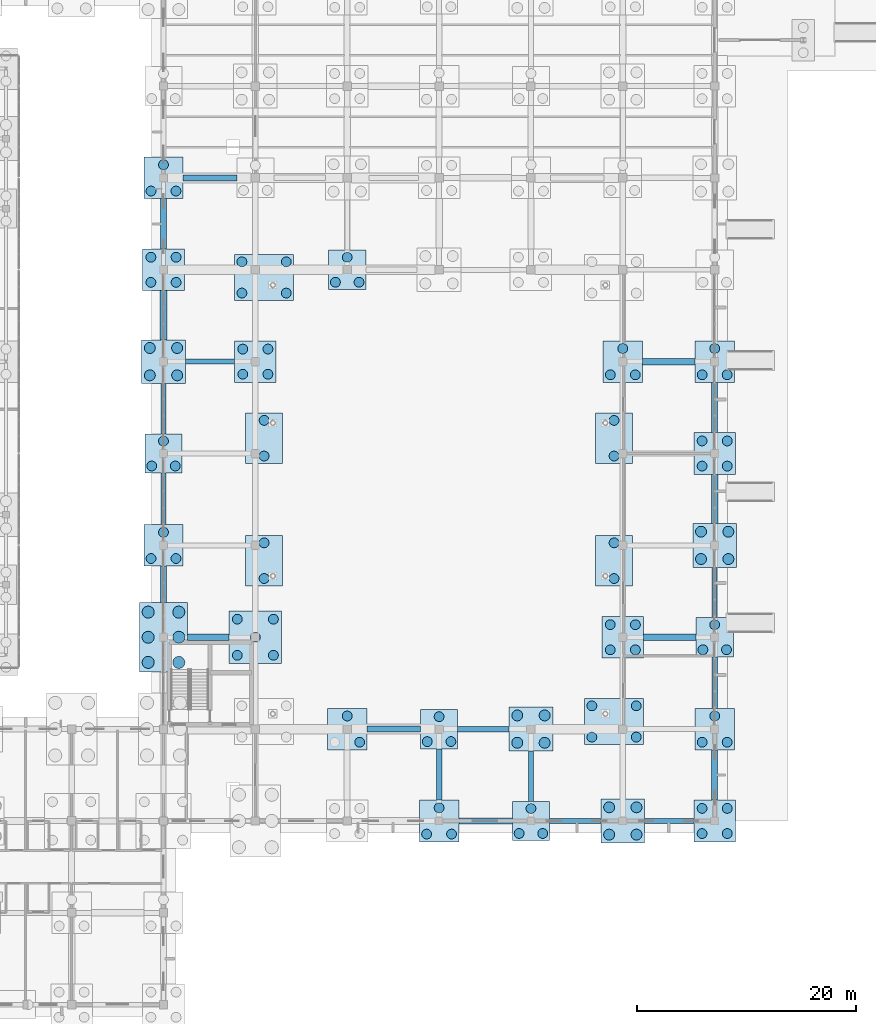
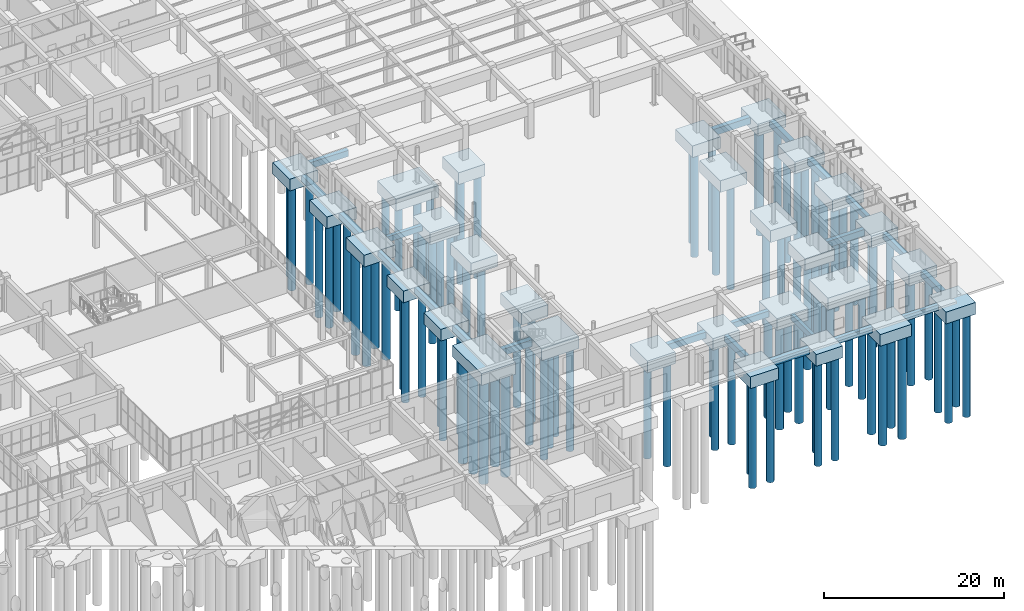
# One storey, part 13 of 192: 98 piles, 51 footings.
"""IFC4 building model written with IfcOpenShell, lengths in metres."""

import ifcopenshell
import ifcopenshell.guid

model = None  # the IFC model being written
_history = None  # IfcOwnerHistory: only IFC2X3 demands one
_inside = {}  # id of a spatial element -> (the spatial element, [elements in it])
_under = {}  # id of a project, library or spatial element -> (it, [spatial elements below it])
_declared = {}  # id of a project -> (the project, [libraries it declares])
_typed = {}  # id of a type object -> (the type object, [elements of that type])
_made_of = {}  # id of a material, layer set ... -> (it, [elements and type objects made of it])


def new_model(schema):
    """Start an empty IFC model of exactly this schema.

    Asked for "IFC4X3", IfcOpenShell would pick the latest addendum, in which some entities
    have other attributes; the version numbers below select the first issue.
    IFC2X3 requires an IfcOwnerHistory on every rooted entity: one is made here for all.
    """
    global model, _history
    if schema == "IFC4X3":
        model = ifcopenshell.file(schema_version=(4, 3, 0, 0))
    else:
        model = ifcopenshell.file(schema=schema)
    _inside.clear()
    _under.clear()
    _declared.clear()
    _typed.clear()
    _made_of.clear()
    _history = None
    if model.schema == "IFC2X3":
        org = make("IfcOrganization", Name="unknown")
        user = make(
            "IfcPersonAndOrganization",
            ThePerson=make("IfcPerson", FamilyName="unknown"),
            TheOrganization=org,
        )
        app = make(
            "IfcApplication",
            ApplicationDeveloper=org,
            Version="unknown",
            ApplicationFullName="unknown",
            ApplicationIdentifier="unknown",
        )
        _history = make(
            "IfcOwnerHistory",
            OwningUser=user,
            OwningApplication=app,
            ChangeAction="ADDED",
            CreationDate=0,
        )
    return model


def make(cls, **values):
    """One entity of the class cls with the attributes given. An attribute that is None is left unset."""
    return model.create_entity(
        cls, **{name: value for name, value in values.items() if value is not None}
    )


def rooted(cls, **values):
    """An entity with a GlobalId (a new one), such as an element, a storey or a relation."""
    return make(cls, GlobalId=ifcopenshell.guid.new(), OwnerHistory=_history, **values)


def si_unit(unit_type, name, prefix=None):
    """IfcSIUnit, for example si_unit("LENGTHUNIT", "METRE", prefix="MILLI")."""
    return make("IfcSIUnit", UnitType=unit_type, Prefix=prefix, Name=name)


def assignment(units):
    """IfcUnitAssignment: the units of a project."""
    return None if units is None else make("IfcUnitAssignment", Units=units)


def point(xyz):
    """IfcCartesianPoint."""
    return None if xyz is None else make("IfcCartesianPoint", Coordinates=xyz)


def direction(xyz):
    """IfcDirection."""
    return None if xyz is None else make("IfcDirection", DirectionRatios=xyz)


def frame(location, z_axis=None, x_axis=None):
    """IfcAxis2Placement3D, a coordinate frame: its origin and axes. An axis left out is left unset."""
    return make(
        "IfcAxis2Placement3D",
        Location=point(location),
        Axis=direction(z_axis),
        RefDirection=direction(x_axis),
    )


def frame_2d(location, x_axis=None):
    """IfcAxis2Placement2D, a coordinate frame in the plane: its origin and x axis."""
    return make(
        "IfcAxis2Placement2D", Location=point(location), RefDirection=direction(x_axis)
    )


def origin():
    """The frame at (0, 0, 0) with its axes left unset."""
    return frame((0.0, 0.0, 0.0))


def origin_2d():
    """The frame at (0, 0) in the plane with its x axis left unset."""
    return frame_2d((0.0, 0.0))


def place(relative_to, where):
    """IfcLocalPlacement: puts the frame where relative to a parent placement (None: the world)."""
    return make(
        "IfcLocalPlacement", PlacementRelTo=relative_to, RelativePlacement=where
    )


def context(
    kind, dimensions, precision=None, world=None, true_north=None, identifier=None
):
    """IfcGeometricRepresentationContext, for example the 3D "Model" context."""
    return make(
        "IfcGeometricRepresentationContext",
        ContextIdentifier=identifier,
        ContextType=kind,
        CoordinateSpaceDimension=dimensions,
        Precision=precision,
        WorldCoordinateSystem=world,
        TrueNorth=true_north,
    )


def subcontext(parent, identifier, kind, view, scale=None):
    """IfcGeometricRepresentationSubContext, for example "Body" below "Model"."""
    return make(
        "IfcGeometricRepresentationSubContext",
        ContextIdentifier=identifier,
        ContextType=kind,
        ParentContext=parent,
        TargetScale=scale,
        TargetView=view,
    )


def project(units=None, contexts=None):
    """IfcProject with its units and contexts."""
    return rooted(
        "IfcProject",
        Name="project",
        RepresentationContexts=contexts,
        UnitsInContext=assignment(units),
    )


def spatial(cls, under=None, at=None, **own):
    """A site, building, storey or space (cls), placed at a placement, below another one or the project."""
    s = rooted(cls, ObjectPlacement=at, **own)
    if under is not None:
        _under.setdefault(under.id(), (under, []))[1].append(s)
    return s


def profile(cls, at=None, kind="AREA", **sizes):
    """A parametric profile (cls). Its sizes go by their IFC names, for example OverallWidth=200.0."""
    return make(cls, ProfileType=kind, Position=at, **sizes)


def rectangle(**sizes):
    """IfcRectangleProfileDef."""
    return profile("IfcRectangleProfileDef", **sizes)


def circle(**sizes):
    """IfcCircleProfileDef."""
    return profile("IfcCircleProfileDef", **sizes)


def extrude(swept, where, along, depth):
    """IfcExtrudedAreaSolid: the profile swept, set in the frame where, extruded along a direction by depth."""
    return make(
        "IfcExtrudedAreaSolid",
        SweptArea=swept,
        Position=where,
        ExtrudedDirection=direction(along),
        Depth=depth,
    )


def shape(context_of_items, identifier, shape_type, items):
    """IfcShapeRepresentation: the items that make up one representation, for example the "Body"."""
    return make(
        "IfcShapeRepresentation",
        ContextOfItems=context_of_items,
        RepresentationIdentifier=identifier,
        RepresentationType=shape_type,
        Items=items,
    )


def material(Name=None, Category=None):
    """IfcMaterial."""
    return make("IfcMaterial", Name=Name, Category=Category)


def layer(
    of_material, thickness, ventilated=None, Name=None, Category=None, Priority=None
):
    """IfcMaterialLayer: one layer of a wall or slab, of a material (None: an air gap)."""
    return make(
        "IfcMaterialLayer",
        Material=of_material,
        LayerThickness=thickness,
        IsVentilated=ventilated,
        Name=Name,
        Category=Category,
        Priority=Priority,
    )


def layer_set(layers, Name=None):
    """IfcMaterialLayerSet."""
    return make("IfcMaterialLayerSet", MaterialLayers=layers, LayerSetName=Name)


def material_profile(
    of_material, cross_section, Name=None, Category=None, Priority=None
):
    """IfcMaterialProfile: a cross section and its material."""
    return make(
        "IfcMaterialProfile",
        Name=Name,
        Material=of_material,
        Profile=cross_section,
        Priority=Priority,
        Category=Category,
    )


def profile_set(profiles, Name=None, composite=None):
    """IfcMaterialProfileSet."""
    return make(
        "IfcMaterialProfileSet",
        Name=Name,
        MaterialProfiles=profiles,
        CompositeProfile=composite,
    )


def made_of(thing, what):
    """Note that an element or type object is made of a material, layer set ...; save() writes the relation."""
    if what is not None:
        _made_of.setdefault(what.id(), (what, []))[1].append(thing)
    return thing


def type_object(cls, material=None, **own):
    """A type object (cls), such as IfcWallType, which elements share."""
    return made_of(rooted(cls, **own), material)


def element(
    cls,
    number,
    at=None,
    inside=None,
    cuts=None,
    type_object=None,
    material=None,
    context=None,
    identifier="Body",
    shape_type=None,
    held_by="IfcProductDefinitionShape",
    body=None,
    shapes=None,
    **own,
):
    """One element of the class cls, such as IfcWall. Its Tag is "e" and its number.

    at: its placement. inside: the storey or other place that contains it. cuts: it is an
    opening in that element (IfcRelVoidsElement). A single representation is given by context,
    identifier, shape_type and body (its items); several are given by shapes. held_by: the class
    of the entity that holds the representations. save() writes the other relations.
    """
    e = rooted(cls, Tag="e%d" % number, ObjectPlacement=at, **own)
    if body is not None:
        shapes = [shape(context, identifier, shape_type, body)]
    if shapes is not None:
        e.Representation = make(held_by, Representations=shapes)
    if inside is not None:
        _inside.setdefault(inside.id(), (inside, []))[1].append(e)
    if cuts is not None:
        rooted(
            "IfcRelVoidsElement", RelatingBuildingElement=cuts, RelatedOpeningElement=e
        )
    if type_object is not None:
        _typed.setdefault(type_object.id(), (type_object, []))[1].append(e)
    return made_of(e, material)


def aggregate(whole, parts):
    """IfcRelAggregates: a whole, such as a stair, and the parts it consists of."""
    return rooted("IfcRelAggregates", RelatingObject=whole, RelatedObjects=parts)


def save(model, path):
    """Write the relations noted so far, then the file.

    IfcRelAggregates (storeys below a building ...), IfcRelContainedInSpatialStructure (elements
    in a storey), IfcRelDefinesByType, IfcRelAssociatesMaterial and IfcRelDeclares: one each for
    every whole, place, type object, material and project.
    """
    for whole, parts in _under.values():
        aggregate(whole, parts)
    for where, things in _inside.values():
        rooted(
            "IfcRelContainedInSpatialStructure",
            RelatedElements=things,
            RelatingStructure=where,
        )
    for kind, things in _typed.values():
        rooted("IfcRelDefinesByType", RelatedObjects=things, RelatingType=kind)
    for what, things in _made_of.values():
        rooted("IfcRelAssociatesMaterial", RelatedObjects=things, RelatingMaterial=what)
    for by, libraries in _declared.values():
        rooted("IfcRelDeclares", RelatingContext=by, RelatedDefinitions=libraries)
    model.write(path)


model = new_model("IFC4")

# Units and contexts
model_context = context("Model", 3, precision=1e-05, world=origin(), true_north=direction((0.0, 1.0)))
body_context = subcontext(model_context, "Body", "Model", "MODEL_VIEW")
ifc_project = project(units=[si_unit("LENGTHUNIT", "METRE"), si_unit("AREAUNIT", "SQUARE_METRE"), si_unit("VOLUMEUNIT", "CUBIC_METRE"), si_unit("PLANEANGLEUNIT", "RADIAN"), si_unit("MASSUNIT", "GRAM", prefix="KILO")], contexts=[model_context])

# Site, building, storey
site_placement = place(None, origin())
site = spatial("IfcSite", under=ifc_project, at=site_placement, CompositionType="ELEMENT")
building_placement = place(site_placement, origin())
building = spatial("IfcBuilding", under=site, at=building_placement, Name="Trelvath General Hospital", CompositionType="ELEMENT")
storey_placement = place(building_placement, origin())
storey = spatial("IfcBuildingStorey", under=building, at=storey_placement, Name="L00", CompositionType="ELEMENT", Elevation=0.0)

# Piles
ifc_material_1 = material(Name="Concrete C35/45", Category="concrete")
ifc_material_profile_1 = material_profile(ifc_material_1, circle(Radius=0.5, at=origin_2d()), Name="PILE1000")
ifc_profile_set_1 = profile_set([ifc_material_profile_1], Name="Concrete C35/45")
pile_type_1 = type_object("IfcPileType", Name="BoredPile D1000", PredefinedType="BORED", material=ifc_profile_set_1)
for number, where, z_axis, x_axis, name in (
    (1, (133.14990234375, 57.550048828125, -1.800048828125), (0.0, 0.0, -1.0), (1.0, 0.0, 0.0), "Bored Pile P-0914"),
    (2, (135.64990234375, 57.550048828125, -1.800048828125), (0.0, 0.0, -1.0), (1.0, 0.0, 0.0), "Bored Pile P-0915"),
    (3, (133.14990234375, 60.050048828125, -1.800048828125), (0.0, 0.0, -1.0), (1.0, 0.0, 0.0), "Bored Pile P-0916"),
    (4, (135.64990234375, 60.050048828125, -1.800048828125), (0.0, 0.0, -1.0), (1.0, 0.0, 0.0), "Bored Pile P-0917"),
    (5, (166.75, 23.949951171875, -1.800048828125), (0.0, 0.0, -1.0), (1.0, 0.0, 0.0), "Bored Pile P-1058"),
    (6, (169.25, 23.949951171875, -1.800048828125), (0.0, 0.0, -1.0), (1.0, 0.0, 0.0), "Bored Pile P-1059"),
    (7, (166.75, 26.449951171875, -1.800048828125), (0.0, 0.0, -1.0), (1.0, 0.0, 0.0), "Bored Pile P-1060"),
    (8, (169.25, 26.449951171875, -1.800048828125), (0.0, 0.0, -1.0), (1.0, 0.0, 0.0), "Bored Pile P-1061"),
    (9, (175.14990234375, 15.550048828125, -1.800048828125), (0.0, 0.0, -1.0), (1.0, 0.0, 0.0), "Bored Pile P-1098"),
    (10, (177.64990234375, 15.550048828125, -1.800048828125), (0.0, 0.0, -1.0), (1.0, 0.0, 0.0), "Bored Pile P-1099"),
    (11, (175.14990234375, 18.050048828125, -1.800048828125), (0.0, 0.0, -1.0), (1.0, 0.0, 0.0), "Bored Pile P-1100"),
    (12, (177.64990234375, 18.050048828125, -1.800048828125), (0.0, 0.0, -1.0), (1.0, 0.0, 0.0), "Bored Pile P-1101"),
    (13, (183.550048828125, 40.75, -1.800048828125), (0.0, 0.0, -1.0), (1.0, 0.0, 0.0), "Bored Pile P-1140"),
    (14, (186.050048828125, 40.75, -1.800048828125), (0.0, 0.0, -1.0), (1.0, 0.0, 0.0), "Bored Pile P-1141"),
    (15, (183.550048828125, 43.25, -1.800048828125), (0.0, 0.0, -1.0), (1.0, 0.0, 0.0), "Bored Pile P-1142"),
    (16, (186.050048828125, 43.25, -1.800048828125), (0.0, 0.0, -1.0), (1.0, 0.0, 0.0), "Bored Pile P-1143"),
):
    element("IfcPile", number, at=place(storey_placement, frame(where, z_axis=z_axis, x_axis=x_axis)), inside=storey, type_object=pile_type_1, Name=name, PredefinedType="BORED", context=body_context, shape_type="SweptSolid", body=[
        extrude(circle(Radius=0.5, at=origin_2d()), origin(), (0.0, 0.0, 1.0), 14.0),
    ])
ifc_material_2 = material(Name="Concrete C35/45", Category="concrete")
ifc_material_profile_2 = material_profile(ifc_material_2, circle(Radius=0.550048828125, at=origin_2d()), Name="PILE1100")
ifc_profile_set_2 = profile_set([ifc_material_profile_2], Name="Concrete C35/45")
pile_type_2 = type_object("IfcPileType", Name="BoredPile D1100", PredefinedType="BORED", material=ifc_profile_set_2)
for number, where, z_axis, x_axis, name in (
    (17, (133.0, 31.300048828125, -1.800048828125), (0.0, 0.0, -1.0), (1.0, 0.0, 0.0), "Bored Pile P-0902"),
    (18, (135.800048828125, 31.300048828125, -1.800048828125), (0.0, 0.0, -1.0), (1.0, 0.0, 0.0), "Bored Pile P-0903"),
    (19, (133.0, 33.60009765625, -1.800048828125), (0.0, 0.0, -1.0), (1.0, 0.0, 0.0), "Bored Pile P-0904"),
    (20, (135.800048828125, 33.60009765625, -1.800048828125), (0.0, 0.0, -1.0), (1.0, 0.0, 0.0), "Bored Pile P-0905"),
    (21, (133.0, 35.89990234375, -1.800048828125), (0.0, 0.0, -1.0), (1.0, 0.0, 0.0), "Bored Pile P-0906"),
    (22, (135.800048828125, 35.89990234375, -1.800048828125), (0.0, 0.0, -1.0), (1.0, 0.0, 0.0), "Bored Pile P-0907"),
):
    element("IfcPile", number, at=place(storey_placement, frame(where, z_axis=z_axis, x_axis=x_axis)), inside=storey, type_object=pile_type_2, Name=name, PredefinedType="BORED", context=body_context, shape_type="SweptSolid", body=[
        extrude(circle(Radius=0.550048828125, at=origin_2d()), origin(), (0.0, 0.0, 1.0), 14.0),
    ])
ifc_material_3 = material(Name="Concrete C35/45", Category="concrete")
ifc_material_profile_3 = material_profile(ifc_material_3, circle(Radius=0.449951171875, at=origin_2d()), Name="PILE900")
ifc_profile_set_3 = profile_set([ifc_material_profile_3], Name="Concrete C35/45")
pile_type_3 = type_object("IfcPileType", Name="BoredPile D900", PredefinedType="BORED", material=ifc_profile_set_3)
for number, where, z_axis, x_axis, name in (
    (23, (133.260009765625, 40.800048828125, -1.800048828125), (0.0, 0.0, -1.0), (1.0, 0.0, 0.0), "Bored Pile P-0908"),
    (24, (135.5400390625, 40.800048828125, -1.800048828125), (0.0, 0.0, -1.0), (1.0, 0.0, 0.0), "Bored Pile P-0909"),
    (25, (134.39990234375, 43.199951171875, -1.800048828125), (0.0, 0.0, -1.0), (1.0, 0.0, 0.0), "Bored Pile P-0910"),
    (26, (133.320068359375, 49.260009765625, -1.800048828125), (0.0, 0.0, -1.0), (1.0, 0.0, 0.0), "Bored Pile P-0911"),
    (27, (135.47998046875, 49.260009765625, -1.800048828125), (0.0, 0.0, -1.0), (1.0, 0.0, 0.0), "Bored Pile P-0912"),
    (28, (134.39990234375, 51.5400390625, -1.800048828125), (0.0, 0.0, -1.0), (1.0, 0.0, 0.0), "Bored Pile P-0913"),
    (29, (133.25, 66.050048828125, -1.800048828125), (0.0, 0.0, -1.0), (1.0, 0.0, 0.0), "Bored Pile P-0918"),
    (30, (135.550048828125, 66.050048828125, -1.800048828125), (0.0, 0.0, -1.0), (1.0, 0.0, 0.0), "Bored Pile P-0919"),
    (31, (133.25, 68.35009765625, -1.800048828125), (0.0, 0.0, -1.0), (1.0, 0.0, 0.0), "Bored Pile P-0920"),
    (32, (135.550048828125, 68.35009765625, -1.800048828125), (0.0, 0.0, -1.0), (1.0, 0.0, 0.0), "Bored Pile P-0921"),
    (33, (133.260009765625, 74.39990234375, -1.800048828125), (0.0, 0.0, -1.0), (1.0, 0.0, 0.0), "Bored Pile P-0922"),
    (34, (135.5400390625, 74.39990234375, -1.800048828125), (0.0, 0.0, -1.0), (1.0, 0.0, 0.0), "Bored Pile P-0923"),
    (35, (134.39990234375, 76.800048828125, -1.800048828125), (0.0, 0.0, -1.0), (1.0, 0.0, 0.0), "Bored Pile P-0924"),
    (36, (141.14990234375, 31.949951171875, -1.800048828125), (0.0, 0.0, -1.0), (1.0, 0.0, 0.0), "Bored Pile P-0954"),
    (37, (144.449951171875, 31.949951171875, -1.800048828125), (0.0, 0.0, -1.0), (1.0, 0.0, 0.0), "Bored Pile P-0955"),
    (38, (142.800048828125, 33.60009765625, -1.800048828125), (0.0, 0.0, -1.0), (1.0, 0.0, 0.0), "Bored Pile P-0956"),
    (39, (141.14990234375, 35.25, -1.800048828125), (0.0, 0.0, -1.0), (1.0, 0.0, 0.0), "Bored Pile P-0957"),
    (40, (144.449951171875, 35.25, -1.800048828125), (0.0, 0.0, -1.0), (1.0, 0.0, 0.0), "Bored Pile P-0958"),
    (41, (143.60009765625, 38.969970703125, -1.800048828125), (0.0, 0.0, -1.0), (1.0, 0.0, 0.0), "Bored Pile P-0959"),
    (42, (143.60009765625, 42.22998046875, -1.800048828125), (0.0, 0.0, -1.0), (1.0, 0.0, 0.0), "Bored Pile P-0960"),
    (43, (143.60009765625, 50.169921875, -1.800048828125), (0.0, 0.0, -1.0), (1.0, 0.0, 0.0), "Bored Pile P-0961"),
    (44, (143.60009765625, 53.429931640625, -1.800048828125), (0.0, 0.0, -1.0), (1.0, 0.0, 0.0), "Bored Pile P-0962"),
    (45, (141.64990234375, 57.64990234375, -1.800048828125), (0.0, 0.0, -1.0), (1.0, 0.0, 0.0), "Bored Pile P-0963"),
    (46, (143.949951171875, 57.64990234375, -1.800048828125), (0.0, 0.0, -1.0), (1.0, 0.0, 0.0), "Bored Pile P-0964"),
    (47, (141.64990234375, 59.949951171875, -1.800048828125), (0.0, 0.0, -1.0), (1.0, 0.0, 0.0), "Bored Pile P-0965"),
    (48, (143.949951171875, 59.949951171875, -1.800048828125), (0.0, 0.0, -1.0), (1.0, 0.0, 0.0), "Bored Pile P-0966"),
    (49, (141.570068359375, 65.070068359375, -1.800048828125), (0.0, 0.0, -1.0), (1.0, 0.0, 0.0), "Bored Pile P-0967"),
    (50, (141.570068359375, 67.929931640625, -1.800048828125), (0.0, 0.0, -1.0), (1.0, 0.0, 0.0), "Bored Pile P-0968"),
    (51, (145.6298828125, 65.070068359375, -1.800048828125), (0.0, 0.0, -1.0), (1.0, 0.0, 0.0), "Bored Pile P-0969"),
    (52, (145.6298828125, 67.929931640625, -1.800048828125), (0.0, 0.0, -1.0), (1.0, 0.0, 0.0), "Bored Pile P-0970"),
    (53, (152.340087890625, 24.0, -1.800048828125), (0.0, 0.0, -1.0), (1.0, 0.0, 0.0), "Bored Pile P-0997"),
    (54, (151.199951171875, 26.39990234375, -1.800048828125), (0.0, 0.0, -1.0), (1.0, 0.0, 0.0), "Bored Pile P-0998"),
    (55, (150.1201171875, 66.06005859375, -1.800048828125), (0.0, 0.0, -1.0), (1.0, 0.0, 0.0), "Bored Pile P-0999"),
    (56, (152.280029296875, 66.06005859375, -1.800048828125), (0.0, 0.0, -1.0), (1.0, 0.0, 0.0), "Bored Pile P-1000"),
    (57, (151.199951171875, 68.340087890625, -1.800048828125), (0.0, 0.0, -1.0), (1.0, 0.0, 0.0), "Bored Pile P-1001"),
    (58, (158.4599609375, 15.60009765625, -1.800048828125), (0.0, 0.0, -1.0), (1.0, 0.0, 0.0), "Bored Pile P-1024"),
    (59, (160.739990234375, 15.60009765625, -1.800048828125), (0.0, 0.0, -1.0), (1.0, 0.0, 0.0), "Bored Pile P-1025"),
    (60, (159.60009765625, 18.0, -1.800048828125), (0.0, 0.0, -1.0), (1.0, 0.0, 0.0), "Bored Pile P-1026"),
    (61, (158.52001953125, 24.06005859375, -1.800048828125), (0.0, 0.0, -1.0), (1.0, 0.0, 0.0), "Bored Pile P-1027"),
    (62, (160.679931640625, 24.06005859375, -1.800048828125), (0.0, 0.0, -1.0), (1.0, 0.0, 0.0), "Bored Pile P-1028"),
    (63, (159.60009765625, 26.340087890625, -1.800048828125), (0.0, 0.0, -1.0), (1.0, 0.0, 0.0), "Bored Pile P-1029"),
    (64, (166.919921875, 15.659912109375, -1.800048828125), (0.0, 0.0, -1.0), (1.0, 0.0, 0.0), "Bored Pile P-1055"),
    (65, (169.080078125, 15.659912109375, -1.800048828125), (0.0, 0.0, -1.0), (1.0, 0.0, 0.0), "Bored Pile P-1056"),
    (66, (168.0, 17.93994140625, -1.800048828125), (0.0, 0.0, -1.0), (1.0, 0.0, 0.0), "Bored Pile P-1057"),
    (67, (173.570068359375, 24.469970703125, -1.800048828125), (0.0, 0.0, -1.0), (1.0, 0.0, 0.0), "Bored Pile P-1086"),
    (68, (173.570068359375, 27.330078125, -1.800048828125), (0.0, 0.0, -1.0), (1.0, 0.0, 0.0), "Bored Pile P-1087"),
    (69, (177.6298828125, 24.469970703125, -1.800048828125), (0.0, 0.0, -1.0), (1.0, 0.0, 0.0), "Bored Pile P-1088"),
    (70, (177.6298828125, 27.330078125, -1.800048828125), (0.0, 0.0, -1.0), (1.0, 0.0, 0.0), "Bored Pile P-1089"),
    (71, (175.60009765625, 38.969970703125, -1.800048828125), (0.0, 0.0, -1.0), (1.0, 0.0, 0.0), "Bored Pile P-1090"),
    (72, (175.60009765625, 42.22998046875, -1.800048828125), (0.0, 0.0, -1.0), (1.0, 0.0, 0.0), "Bored Pile P-1091"),
    (73, (175.60009765625, 50.169921875, -1.800048828125), (0.0, 0.0, -1.0), (1.0, 0.0, 0.0), "Bored Pile P-1092"),
    (74, (175.60009765625, 53.429931640625, -1.800048828125), (0.0, 0.0, -1.0), (1.0, 0.0, 0.0), "Bored Pile P-1093"),
    (75, (175.25, 32.449951171875, -1.800048828125), (0.0, 0.0, -1.0), (1.0, 0.0, 0.0), "Bored Pile P-1102"),
    (76, (177.550048828125, 32.449951171875, -1.800048828125), (0.0, 0.0, -1.0), (1.0, 0.0, 0.0), "Bored Pile P-1103"),
    (77, (175.25, 34.75, -1.800048828125), (0.0, 0.0, -1.0), (1.0, 0.0, 0.0), "Bored Pile P-1104"),
    (78, (177.550048828125, 34.75, -1.800048828125), (0.0, 0.0, -1.0), (1.0, 0.0, 0.0), "Bored Pile P-1105"),
    (79, (175.260009765625, 57.60009765625, -1.800048828125), (0.0, 0.0, -1.0), (1.0, 0.0, 0.0), "Bored Pile P-1106"),
    (80, (177.5400390625, 57.60009765625, -1.800048828125), (0.0, 0.0, -1.0), (1.0, 0.0, 0.0), "Bored Pile P-1107"),
    (81, (176.39990234375, 60.0, -1.800048828125), (0.0, 0.0, -1.0), (1.0, 0.0, 0.0), "Bored Pile P-1108"),
    (82, (183.64990234375, 15.64990234375, -1.800048828125), (0.0, 0.0, -1.0), (1.0, 0.0, 0.0), "Bored Pile P-1130"),
    (83, (185.949951171875, 15.64990234375, -1.800048828125), (0.0, 0.0, -1.0), (1.0, 0.0, 0.0), "Bored Pile P-1131"),
    (84, (183.64990234375, 17.949951171875, -1.800048828125), (0.0, 0.0, -1.0), (1.0, 0.0, 0.0), "Bored Pile P-1132"),
    (85, (185.949951171875, 17.949951171875, -1.800048828125), (0.0, 0.0, -1.0), (1.0, 0.0, 0.0), "Bored Pile P-1133"),
    (86, (183.659912109375, 24.0, -1.800048828125), (0.0, 0.0, -1.0), (1.0, 0.0, 0.0), "Bored Pile P-1134"),
    (87, (185.93994140625, 24.0, -1.800048828125), (0.0, 0.0, -1.0), (1.0, 0.0, 0.0), "Bored Pile P-1135"),
    (88, (184.800048828125, 26.39990234375, -1.800048828125), (0.0, 0.0, -1.0), (1.0, 0.0, 0.0), "Bored Pile P-1136"),
    (89, (183.719970703125, 32.4599609375, -1.800048828125), (0.0, 0.0, -1.0), (1.0, 0.0, 0.0), "Bored Pile P-1137"),
    (90, (185.8798828125, 32.4599609375, -1.800048828125), (0.0, 0.0, -1.0), (1.0, 0.0, 0.0), "Bored Pile P-1138"),
    (91, (184.800048828125, 34.739990234375, -1.800048828125), (0.0, 0.0, -1.0), (1.0, 0.0, 0.0), "Bored Pile P-1139"),
    (92, (183.64990234375, 49.25, -1.800048828125), (0.0, 0.0, -1.0), (1.0, 0.0, 0.0), "Bored Pile P-1144"),
    (93, (185.949951171875, 49.25, -1.800048828125), (0.0, 0.0, -1.0), (1.0, 0.0, 0.0), "Bored Pile P-1145"),
    (94, (183.64990234375, 51.550048828125, -1.800048828125), (0.0, 0.0, -1.0), (1.0, 0.0, 0.0), "Bored Pile P-1146"),
    (95, (185.949951171875, 51.550048828125, -1.800048828125), (0.0, 0.0, -1.0), (1.0, 0.0, 0.0), "Bored Pile P-1147"),
    (96, (183.659912109375, 57.60009765625, -1.800048828125), (0.0, 0.0, -1.0), (1.0, 0.0, 0.0), "Bored Pile P-1148"),
    (97, (185.93994140625, 57.60009765625, -1.800048828125), (0.0, 0.0, -1.0), (1.0, 0.0, 0.0), "Bored Pile P-1149"),
    (98, (184.800048828125, 60.0, -1.800048828125), (0.0, 0.0, -1.0), (1.0, 0.0, 0.0), "Bored Pile P-1150"),
):
    element("IfcPile", number, at=place(storey_placement, frame(where, z_axis=z_axis, x_axis=x_axis)), inside=storey, type_object=pile_type_3, Name=name, PredefinedType="BORED", context=body_context, shape_type="SweptSolid", body=[
        extrude(circle(Radius=0.449951171875, at=origin_2d()), origin(), (0.0, 0.0, 1.0), 14.0),
    ])

# Footings
ifc_material_4 = material(Name="Concrete C35/45", Category="concrete")
ifc_layer_1 = layer(ifc_material_4, 1.60009765625)
ifc_layer_set_1 = layer_set([ifc_layer_1], Name="Concrete C35/45")
footing_type_1 = type_object("IfcFootingType", Name="PileCap 3P 340x360", PredefinedType="PILE_CAP", material=ifc_layer_set_1)
for number, where, z_axis, x_axis, name in (
    (99, (134.39990234375, 50.39990234375, -1.900146484375), (0.0, 0.0, 1.0), (1.0, 0.0, 0.0), "Pile Cap PC-248"),
    (100, (151.199951171875, 67.199951171875, -1.900146484375), (0.0, 0.0, 1.0), (1.0, 0.0, 0.0), "Pile Cap PC-272"),
    (101, (159.60009765625, 25.199951171875, -1.900146484375), (0.0, 0.0, 1.0), (1.0, 0.0, 0.0), "Pile Cap PC-280"),
    (102, (168.0, 16.800048828125, -1.900146484375), (0.0, 0.0, 1.0), (1.0, 0.0, 0.0), "Pile Cap PC-288"),
    (103, (184.800048828125, 33.60009765625, -1.900146484375), (0.0, 0.0, 1.0), (1.0, 0.0, 0.0), "Pile Cap PC-312"),
):
    element("IfcFooting", number, at=place(storey_placement, frame(where, z_axis=z_axis, x_axis=x_axis)), inside=storey, type_object=footing_type_1, Name=name, PredefinedType="PILE_CAP", context=body_context, shape_type="SweptSolid", body=[
        extrude(rectangle(XDim=3.39990234375, YDim=3.60009765625, at=origin_2d()), origin(), (0.0, 0.0, 1.0), 1.60009765625),
    ])
ifc_material_5 = material(Name="Concrete C35/45", Category="concrete")
ifc_layer_2 = layer(ifc_material_5, 1.60009765625)
ifc_layer_set_2 = layer_set([ifc_layer_2], Name="Concrete C35/45")
footing_type_2 = type_object("IfcFootingType", Name="PileCap 3P 360x380", PredefinedType="PILE_CAP", material=ifc_layer_set_2)
for number, where, z_axis, x_axis, name in (
    (104, (134.39990234375, 42.0, -1.900146484375), (0.0, 0.0, 1.0), (1.0, 0.0, 0.0), "Pile Cap PC-247"),
    (105, (134.39990234375, 75.60009765625, -1.900146484375), (0.0, 0.0, 1.0), (1.0, 0.0, 0.0), "Pile Cap PC-251"),
    (106, (151.199951171875, 25.199951171875, -1.900146484375), (0.0, 0.0, 1.0), (1.0, 0.0, 0.0), "Pile Cap PC-271"),
    (107, (159.60009765625, 16.800048828125, -1.900146484375), (0.0, 0.0, 1.0), (1.0, 0.0, 0.0), "Pile Cap PC-279"),
    (108, (176.39990234375, 58.800048828125, -1.900146484375), (0.0, 0.0, 1.0), (1.0, 0.0, 0.0), "Pile Cap PC-303"),
    (109, (184.800048828125, 25.199951171875, -1.900146484375), (0.0, 0.0, 1.0), (1.0, 0.0, 0.0), "Pile Cap PC-311"),
    (110, (184.800048828125, 58.800048828125, -1.900146484375), (0.0, 0.0, 1.0), (1.0, 0.0, 0.0), "Pile Cap PC-315"),
):
    element("IfcFooting", number, at=place(storey_placement, frame(where, z_axis=z_axis, x_axis=x_axis)), inside=storey, type_object=footing_type_2, Name=name, PredefinedType="PILE_CAP", context=body_context, shape_type="SweptSolid", body=[
        extrude(rectangle(XDim=3.60009765625, YDim=3.800048828125, at=origin_2d()), origin(), (0.0, 0.0, 1.0), 1.60009765625),
    ])
ifc_material_6 = material(Name="Concrete C35/45", Category="concrete")
ifc_layer_3 = layer(ifc_material_6, 1.60009765625)
ifc_layer_set_3 = layer_set([ifc_layer_3], Name="Concrete C35/45")
footing_type_3 = type_object("IfcFootingType", Name="PileCap 4P 380x380", PredefinedType="PILE_CAP", material=ifc_layer_set_3)
for number, where, z_axis, x_axis, name in (
    (111, (134.39990234375, 67.199951171875, -1.900146484375), (0.0, 0.0, 1.0), (1.0, 0.0, 0.0), "Pile Cap PC-250"),
    (112, (142.800048828125, 58.800048828125, -1.900146484375), (0.0, 0.0, 1.0), (1.0, 0.0, 0.0), "Pile Cap PC-262"),
    (113, (176.39990234375, 33.60009765625, -1.900146484375), (0.0, 0.0, 1.0), (1.0, 0.0, 0.0), "Pile Cap PC-302"),
    (114, (184.800048828125, 16.800048828125, -1.900146484375), (0.0, 0.0, 1.0), (1.0, 0.0, 0.0), "Pile Cap PC-310"),
    (115, (184.800048828125, 50.39990234375, -1.900146484375), (0.0, 0.0, 1.0), (1.0, 0.0, 0.0), "Pile Cap PC-314"),
):
    element("IfcFooting", number, at=place(storey_placement, frame(where, z_axis=z_axis, x_axis=x_axis)), inside=storey, type_object=footing_type_3, Name=name, PredefinedType="PILE_CAP", context=body_context, shape_type="SweptSolid", body=[
        extrude(rectangle(XDim=3.800048828125, YDim=3.800048828125, at=origin_2d()), origin(), (0.0, 0.0, 1.0), 1.60009765625),
    ])
ifc_material_7 = material(Name="Concrete C35/45", Category="concrete")
ifc_layer_4 = layer(ifc_material_7, 1.60009765625)
ifc_layer_set_4 = layer_set([ifc_layer_4], Name="Concrete C35/45")
footing_type_4 = type_object("IfcFootingType", Name="PileCap 4P 400x400", PredefinedType="PILE_CAP", material=ifc_layer_set_4)
for number, where, z_axis, x_axis, name in (
    (116, (134.39990234375, 58.800048828125, -1.900146484375), (0.0, 0.0, 1.0), (1.0, 0.0, 0.0), "Pile Cap PC-249"),
    (117, (168.0, 25.199951171875, -1.900146484375), (0.0, 0.0, 1.0), (1.0, 0.0, 0.0), "Pile Cap PC-289"),
    (118, (176.39990234375, 16.800048828125, -1.900146484375), (0.0, 0.0, 1.0), (1.0, 0.0, 0.0), "Pile Cap PC-301"),
    (119, (184.800048828125, 42.0, -1.900146484375), (0.0, 0.0, 1.0), (1.0, 0.0, 0.0), "Pile Cap PC-313"),
):
    element("IfcFooting", number, at=place(storey_placement, frame(where, z_axis=z_axis, x_axis=x_axis)), inside=storey, type_object=footing_type_4, Name=name, PredefinedType="PILE_CAP", context=body_context, shape_type="SweptSolid", body=[
        extrude(rectangle(XDim=4.0, YDim=4.0, at=origin_2d()), origin(), (0.0, 0.0, 1.0), 1.60009765625),
    ])
ifc_material_8 = material(Name="Concrete C35/45", Category="concrete")
ifc_layer_5 = layer(ifc_material_8, 1.60009765625)
ifc_layer_set_5 = layer_set([ifc_layer_5], Name="Concrete C35/45")
footing_type_5 = type_object("IfcFootingType", Name="PileCap 5P 480x480", PredefinedType="PILE_CAP", material=ifc_layer_set_5)
footing_1_placement = place(storey_placement, frame((142.800048828125, 33.60009765625, -1.900146484375), z_axis=(0.0, 0.0, 1.0), x_axis=(1.0, 0.0, 0.0)))
element("IfcFooting", 120, at=footing_1_placement, inside=storey, type_object=footing_type_5, Name="Pile Cap PC-259", PredefinedType="PILE_CAP", context=body_context, shape_type="SweptSolid", body=[
    extrude(rectangle(XDim=4.800048828125, YDim=4.800048828125, at=origin_2d()), origin(), (0.0, 0.0, 1.0), 1.60009765625),
])
ifc_material_9 = material(Name="Concrete C35/45", Category="concrete")
ifc_layer_6 = layer(ifc_material_9, 1.60009765625)
ifc_layer_set_6 = layer_set([ifc_layer_6], Name="Concrete C35/45")
footing_type_6 = type_object("IfcFootingType", Name="PileCap 6P 440x640", PredefinedType="PILE_CAP", material=ifc_layer_set_6)
footing_2_placement = place(storey_placement, frame((134.39990234375, 33.60009765625, -1.900146484375), z_axis=(0.0, 0.0, 1.0), x_axis=(1.0, 0.0, 0.0)))
element("IfcFooting", 121, at=footing_2_placement, inside=storey, type_object=footing_type_6, Name="Pile Cap PC-246", PredefinedType="PILE_CAP", context=body_context, shape_type="SweptSolid", body=[
    extrude(rectangle(XDim=4.39990234375, YDim=6.39990234375, at=origin_2d()), origin(), (0.0, 0.0, 1.0), 1.60009765625),
])
ifc_material_10 = material(Name="Concrete C35/45", Category="concrete")
ifc_layer_7 = layer(ifc_material_10, 1.60009765625)
ifc_layer_set_7 = layer_set([ifc_layer_7], Name="Concrete C35/45")
footing_type_7 = type_object("IfcFootingType", Name="PileCap Comb 340x460", PredefinedType="PILE_CAP", material=ifc_layer_set_7)
for number, where, z_axis, x_axis, name in (
    (122, (143.60009765625, 40.60009765625, -1.900146484375), (0.0, 0.0, 1.0), (1.0, 0.0, 0.0), "Pile Cap PC-260"),
    (123, (143.60009765625, 51.800048828125, -1.900146484375), (0.0, 0.0, 1.0), (1.0, 0.0, 0.0), "Pile Cap PC-261"),
    (124, (175.60009765625, 40.60009765625, -1.900146484375), (0.0, 0.0, 1.0), (1.0, 0.0, 0.0), "Pile Cap PC-298"),
    (125, (175.60009765625, 51.800048828125, -1.900146484375), (0.0, 0.0, 1.0), (1.0, 0.0, 0.0), "Pile Cap PC-299"),
):
    element("IfcFooting", number, at=place(storey_placement, frame(where, z_axis=z_axis, x_axis=x_axis)), inside=storey, type_object=footing_type_7, Name=name, PredefinedType="PILE_CAP", context=body_context, shape_type="SweptSolid", body=[
        extrude(rectangle(XDim=3.39990234375, YDim=4.60009765625, at=origin_2d()), origin(), (0.0, 0.0, 1.0), 1.60009765625),
    ])
ifc_material_11 = material(Name="Concrete C35/45", Category="concrete")
ifc_layer_8 = layer(ifc_material_11, 1.60009765625)
ifc_layer_set_8 = layer_set([ifc_layer_8], Name="Concrete C35/45")
footing_type_8 = type_object("IfcFootingType", Name="PileCap Combined 540x420", PredefinedType="PILE_CAP", material=ifc_layer_set_8)
for number, where, z_axis, x_axis, name in (
    (126, (143.60009765625, 66.5, -1.900146484375), (0.0, 0.0, 1.0), (1.0, 0.0, 0.0), "Pile Cap PC-263"),
    (127, (175.60009765625, 25.89990234375, -1.900146484375), (0.0, 0.0, 1.0), (1.0, 0.0, 0.0), "Pile Cap PC-297"),
):
    element("IfcFooting", number, at=place(storey_placement, frame(where, z_axis=z_axis, x_axis=x_axis)), inside=storey, type_object=footing_type_8, Name=name, PredefinedType="PILE_CAP", context=body_context, shape_type="SweptSolid", body=[
        extrude(rectangle(XDim=5.39990234375, YDim=4.199951171875, at=origin_2d()), origin(), (0.0, 0.0, 1.0), 1.60009765625),
    ])
ifc_material_12 = material(Name="Concrete C35/45", Category="concrete")
ifc_layer_9 = layer(ifc_material_12, 0.75)
ifc_layer_set_9 = layer_set([ifc_layer_9], Name="Concrete C35/45")
footing_type_9 = type_object("IfcFootingType", Name="TieBeam 450x750", PredefinedType="FOOTING_BEAM", material=ifc_layer_set_9)
footing_3_placement = place(storey_placement, frame((134.39990234375, 54.5, -1.050048828125), z_axis=(0.0, 0.0, 1.0), x_axis=(1.0, 0.0, 0.0)))
element("IfcFooting", 128, at=footing_3_placement, inside=storey, type_object=footing_type_9, Name="Foundation Tie Beam TB-286", PredefinedType="FOOTING_BEAM", context=body_context, shape_type="SweptSolid", body=[
    extrude(rectangle(XDim=0.449951171875, YDim=4.60009765625, at=origin_2d()), origin(), (0.0, 0.0, 1.0), 0.75),
])
footing_4_placement = place(storey_placement, frame((138.64990234375, 58.800048828125, -1.050048828125), z_axis=(0.0, 0.0, 1.0), x_axis=(1.0, 0.0, 0.0)))
element("IfcFooting", 129, at=footing_4_placement, inside=storey, type_object=footing_type_9, Name="Foundation Tie Beam TB-287", PredefinedType="FOOTING_BEAM", context=body_context, shape_type="SweptSolid", body=[
    extrude(rectangle(XDim=4.5, YDim=0.449951171875, at=origin_2d()), origin(), (0.0, 0.0, 1.0), 0.75),
])
footing_5_placement = place(storey_placement, frame((168.0, 20.89990234375, -1.050048828125), z_axis=(0.0, 0.0, 1.0), x_axis=(1.0, 0.0, 0.0)))
element("IfcFooting", 130, at=footing_5_placement, inside=storey, type_object=footing_type_9, Name="Foundation Tie Beam TB-346", PredefinedType="FOOTING_BEAM", context=body_context, shape_type="SweptSolid", body=[
    extrude(rectangle(XDim=0.449951171875, YDim=4.60009765625, at=origin_2d()), origin(), (0.0, 0.0, 1.0), 0.75),
])
footing_6_placement = place(storey_placement, frame((180.64990234375, 16.800048828125, -1.050048828125), z_axis=(0.0, 0.0, 1.0), x_axis=(1.0, 0.0, 0.0)))
element("IfcFooting", 131, at=footing_6_placement, inside=storey, type_object=footing_type_9, Name="Foundation Tie Beam TB-359", PredefinedType="FOOTING_BEAM", context=body_context, shape_type="SweptSolid", body=[
    extrude(rectangle(XDim=4.5, YDim=0.449951171875, at=origin_2d()), origin(), (0.0, 0.0, 1.0), 0.75),
])
footing_7_placement = place(storey_placement, frame((184.800048828125, 37.699951171875, -1.050048828125), z_axis=(0.0, 0.0, 1.0), x_axis=(1.0, 0.0, 0.0)))
element("IfcFooting", 132, at=footing_7_placement, inside=storey, type_object=footing_type_9, Name="Foundation Tie Beam TB-375", PredefinedType="FOOTING_BEAM", context=body_context, shape_type="SweptSolid", body=[
    extrude(rectangle(XDim=0.449951171875, YDim=4.60009765625, at=origin_2d()), origin(), (0.0, 0.0, 1.0), 0.75),
])
ifc_material_13 = material(Name="Concrete C35/45", Category="concrete")
ifc_layer_10 = layer(ifc_material_13, 0.800048828125)
ifc_layer_set_10 = layer_set([ifc_layer_10], Name="Concrete C35/45")
footing_type_10 = type_object("IfcFootingType", Name="TieBeam 500x800", PredefinedType="FOOTING_BEAM", material=ifc_layer_set_10)
for number, where, z_axis, x_axis, name in (
    (133, (134.39990234375, 46.25, -1.10009765625), (0.0, 0.0, 1.0), (1.0, 0.0, 0.0), "Foundation Tie Beam TB-285"),
    (134, (159.60009765625, 21.050048828125, -1.10009765625), (0.0, 0.0, 1.0), (1.0, 0.0, 0.0), "Foundation Tie Beam TB-330"),
):
    element("IfcFooting", number, at=place(storey_placement, frame(where, z_axis=z_axis, x_axis=x_axis)), inside=storey, type_object=footing_type_10, Name=name, PredefinedType="FOOTING_BEAM", context=body_context, shape_type="SweptSolid", body=[
        extrude(rectangle(XDim=0.5, YDim=4.699951171875, at=origin_2d()), origin(), (0.0, 0.0, 1.0), 0.800048828125),
    ])
for number, where, z_axis, x_axis, name in (
    (135, (163.64990234375, 25.199951171875, -1.10009765625), (0.0, 0.0, 1.0), (1.0, 0.0, 0.0), "Foundation Tie Beam TB-331"),
    (136, (172.050048828125, 16.800048828125, -1.10009765625), (0.0, 0.0, 1.0), (1.0, 0.0, 0.0), "Foundation Tie Beam TB-345"),
):
    element("IfcFooting", number, at=place(storey_placement, frame(where, z_axis=z_axis, x_axis=x_axis)), inside=storey, type_object=footing_type_10, Name=name, PredefinedType="FOOTING_BEAM", context=body_context, shape_type="SweptSolid", body=[
        extrude(rectangle(XDim=4.699951171875, YDim=0.5, at=origin_2d()), origin(), (0.0, 0.0, 1.0), 0.800048828125),
    ])
footing_8_placement = place(storey_placement, frame((184.800048828125, 29.449951171875, -1.10009765625), z_axis=(0.0, 0.0, 1.0), x_axis=(1.0, 0.0, 0.0)))
element("IfcFooting", 137, at=footing_8_placement, inside=storey, type_object=footing_type_10, Name="Foundation Tie Beam TB-374", PredefinedType="FOOTING_BEAM", context=body_context, shape_type="SweptSolid", body=[
    extrude(rectangle(XDim=0.5, YDim=4.699951171875, at=origin_2d()), origin(), (0.0, 0.0, 1.0), 0.800048828125),
])
ifc_material_14 = material(Name="Concrete C35/45", Category="concrete")
ifc_layer_11 = layer(ifc_material_14, 0.85009765625)
ifc_layer_set_11 = layer_set([ifc_layer_11], Name="Concrete C35/45")
footing_type_11 = type_object("IfcFootingType", Name="TieBeam 550x850", PredefinedType="FOOTING_BEAM", material=ifc_layer_set_11)
footing_9_placement = place(storey_placement, frame((134.39990234375, 38.449951171875, -1.150146484375), z_axis=(0.0, 0.0, 1.0), x_axis=(1.0, 0.0, 0.0)))
element("IfcFooting", 138, at=footing_9_placement, inside=storey, type_object=footing_type_11, Name="Foundation Tie Beam TB-284", PredefinedType="FOOTING_BEAM", context=body_context, shape_type="SweptSolid", body=[
    extrude(rectangle(XDim=0.550048828125, YDim=3.300048828125, at=origin_2d()), origin(), (0.0, 0.0, 1.0), 0.85009765625),
])
footing_10_placement = place(storey_placement, frame((134.39990234375, 71.39990234375, -1.150146484375), z_axis=(0.0, 0.0, 1.0), x_axis=(1.0, 0.0, 0.0)))
element("IfcFooting", 139, at=footing_10_placement, inside=storey, type_object=footing_type_11, Name="Foundation Tie Beam TB-289", PredefinedType="FOOTING_BEAM", context=body_context, shape_type="SweptSolid", body=[
    extrude(rectangle(XDim=0.550048828125, YDim=4.60009765625, at=origin_2d()), origin(), (0.0, 0.0, 1.0), 0.85009765625),
])
for number, where, z_axis, x_axis, name in (
    (140, (138.64990234375, 75.60009765625, -1.150146484375), (0.0, 0.0, 1.0), (1.0, 0.0, 0.0), "Foundation Tie Beam TB-290"),
    (141, (155.449951171875, 25.199951171875, -1.150146484375), (0.0, 0.0, 1.0), (1.0, 0.0, 0.0), "Foundation Tie Beam TB-315"),
    (142, (163.85009765625, 16.800048828125, -1.150146484375), (0.0, 0.0, 1.0), (1.0, 0.0, 0.0), "Foundation Tie Beam TB-329"),
):
    element("IfcFooting", number, at=place(storey_placement, frame(where, z_axis=z_axis, x_axis=x_axis)), inside=storey, type_object=footing_type_11, Name=name, PredefinedType="FOOTING_BEAM", context=body_context, shape_type="SweptSolid", body=[
        extrude(rectangle(XDim=4.89990234375, YDim=0.550048828125, at=origin_2d()), origin(), (0.0, 0.0, 1.0), 0.85009765625),
    ])
footing_11_placement = place(storey_placement, frame((180.699951171875, 33.60009765625, -1.150146484375), z_axis=(0.0, 0.0, 1.0), x_axis=(1.0, 0.0, 0.0)))
element("IfcFooting", 143, at=footing_11_placement, inside=storey, type_object=footing_type_11, Name="Foundation Tie Beam TB-360", PredefinedType="FOOTING_BEAM", context=body_context, shape_type="SweptSolid", body=[
    extrude(rectangle(XDim=4.800048828125, YDim=0.550048828125, at=origin_2d()), origin(), (0.0, 0.0, 1.0), 0.85009765625),
])
for number, where, z_axis, x_axis, name in (
    (144, (184.800048828125, 21.0, -1.150146484375), (0.0, 0.0, 1.0), (1.0, 0.0, 0.0), "Foundation Tie Beam TB-373"),
    (145, (184.800048828125, 54.60009765625, -1.150146484375), (0.0, 0.0, 1.0), (1.0, 0.0, 0.0), "Foundation Tie Beam TB-377"),
):
    element("IfcFooting", number, at=place(storey_placement, frame(where, z_axis=z_axis, x_axis=x_axis)), inside=storey, type_object=footing_type_11, Name=name, PredefinedType="FOOTING_BEAM", context=body_context, shape_type="SweptSolid", body=[
        extrude(rectangle(XDim=0.550048828125, YDim=4.60009765625, at=origin_2d()), origin(), (0.0, 0.0, 1.0), 0.85009765625),
    ])
ifc_material_15 = material(Name="Concrete C35/45", Category="concrete")
ifc_layer_12 = layer(ifc_material_15, 0.89990234375)
ifc_layer_set_12 = layer_set([ifc_layer_12], Name="Concrete C35/45")
footing_type_12 = type_object("IfcFootingType", Name="TieBeam 600x900", PredefinedType="FOOTING_BEAM", material=ifc_layer_set_12)
footing_12_placement = place(storey_placement, frame((138.5, 33.60009765625, -1.199951171875), z_axis=(0.0, 0.0, 1.0), x_axis=(1.0, 0.0, 0.0)))
element("IfcFooting", 146, at=footing_12_placement, inside=storey, type_object=footing_type_12, Name="Foundation Tie Beam TB-283", PredefinedType="FOOTING_BEAM", context=body_context, shape_type="SweptSolid", body=[
    extrude(rectangle(XDim=3.800048828125, YDim=0.60009765625, at=origin_2d()), origin(), (0.0, 0.0, 1.0), 0.89990234375),
])
footing_13_placement = place(storey_placement, frame((134.39990234375, 63.050048828125, -1.199951171875), z_axis=(0.0, 0.0, 1.0), x_axis=(1.0, 0.0, 0.0)))
element("IfcFooting", 147, at=footing_13_placement, inside=storey, type_object=footing_type_12, Name="Foundation Tie Beam TB-288", PredefinedType="FOOTING_BEAM", context=body_context, shape_type="SweptSolid", body=[
    extrude(rectangle(XDim=0.60009765625, YDim=4.5, at=origin_2d()), origin(), (0.0, 0.0, 1.0), 0.89990234375),
])
footing_14_placement = place(storey_placement, frame((180.60009765625, 58.800048828125, -1.199951171875), z_axis=(0.0, 0.0, 1.0), x_axis=(1.0, 0.0, 0.0)))
element("IfcFooting", 148, at=footing_14_placement, inside=storey, type_object=footing_type_12, Name="Foundation Tie Beam TB-361", PredefinedType="FOOTING_BEAM", context=body_context, shape_type="SweptSolid", body=[
    extrude(rectangle(XDim=4.800048828125, YDim=0.60009765625, at=origin_2d()), origin(), (0.0, 0.0, 1.0), 0.89990234375),
])
footing_15_placement = place(storey_placement, frame((184.800048828125, 46.25, -1.199951171875), z_axis=(0.0, 0.0, 1.0), x_axis=(1.0, 0.0, 0.0)))
element("IfcFooting", 149, at=footing_15_placement, inside=storey, type_object=footing_type_12, Name="Foundation Tie Beam TB-376", PredefinedType="FOOTING_BEAM", context=body_context, shape_type="SweptSolid", body=[
    extrude(rectangle(XDim=0.60009765625, YDim=4.5, at=origin_2d()), origin(), (0.0, 0.0, 1.0), 0.89990234375),
])

save(model, "model.ifc")
